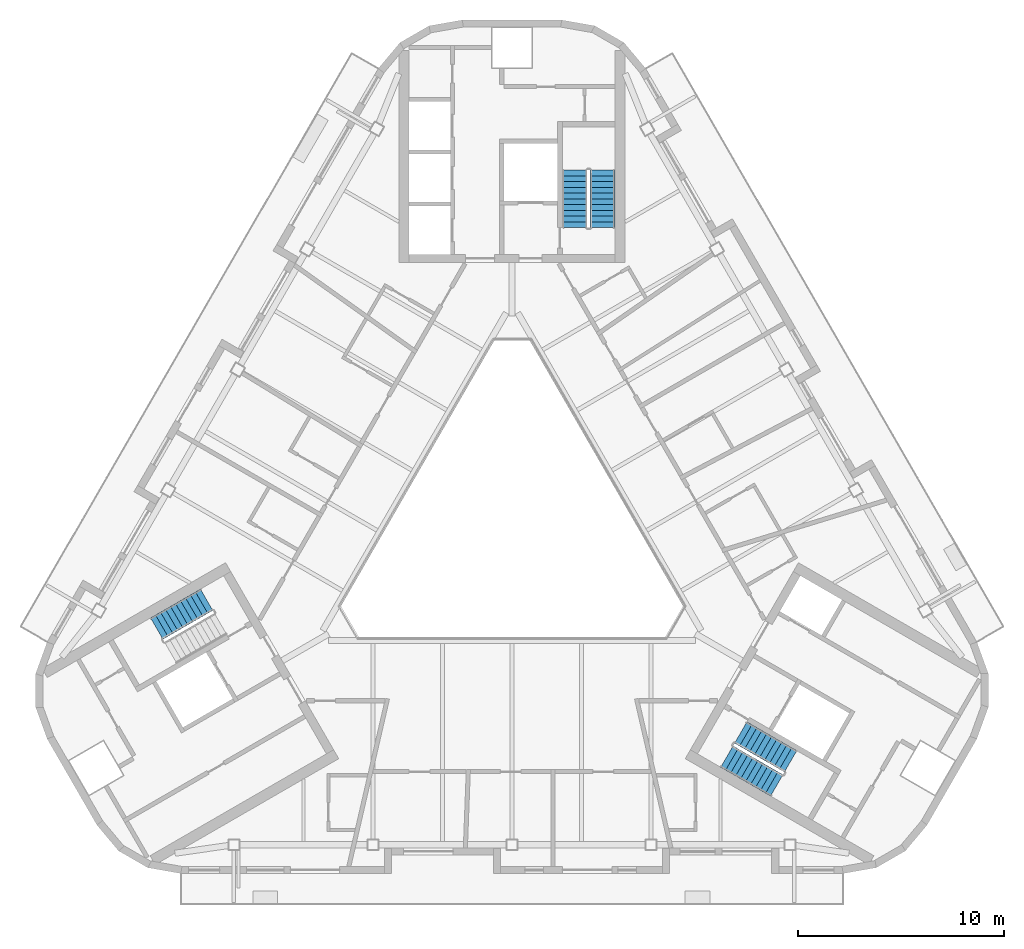
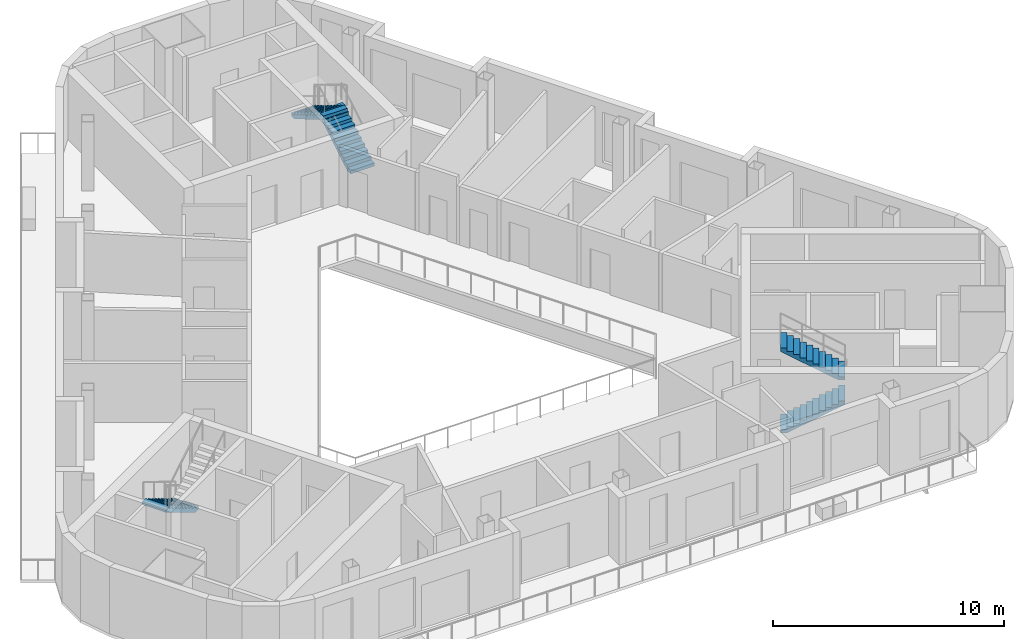
# One storey, part 8 of 12: 5 stair flights, 3 elements without a shape of their own.
"""IFC4 building model written with IfcOpenShell, lengths in metres."""

from ifc_helpers import new_model, si_unit, direction, frame, origin, place, context, subcontext, project, spatial, polyline, outline, extrude, material, type_object, element, aggregate, save


model = new_model("IFC4")

# Units and contexts
model_context = context("Model", 3, precision=1e-05, world=origin(), true_north=direction((0.0, 1.0)))
body_context = subcontext(model_context, "Body", "Model", "MODEL_VIEW")
ifc_project = project(units=[si_unit("LENGTHUNIT", "METRE"), si_unit("AREAUNIT", "SQUARE_METRE"), si_unit("VOLUMEUNIT", "CUBIC_METRE"), si_unit("PLANEANGLEUNIT", "RADIAN"), si_unit("MASSUNIT", "GRAM", prefix="KILO")], contexts=[model_context])

# Site, building, storey
site_placement = place(None, origin())
site = spatial("IfcSite", under=ifc_project, at=site_placement, CompositionType="ELEMENT")
building_placement = place(site_placement, origin())
building = spatial("IfcBuilding", under=site, at=building_placement, Name="Apuvela Tower Hotel", CompositionType="ELEMENT")
storey_placement = place(building_placement, frame((0.0, 0.0, 305.89990234375)))
storey = spatial("IfcBuildingStorey", under=building, at=storey_placement, Name="L76", CompositionType="ELEMENT", Elevation=305.89990234375)

# Stair, stair flights
ifc_material = material(Name="Concrete C50/60", Category="concrete")
stair_type = type_object("IfcStairType", Name="COR-STAIR-22R", PredefinedType="HALF_TURN_STAIR", material=ifc_material)
stair_1_placement = place(storey_placement, origin())
stair_1 = element("IfcStair", 1, at=stair_1_placement, inside=storey, type_object=stair_type, Name="L76 Exit stair ST1", PredefinedType="HALF_TURN_STAIR")
stair_flight_type = type_object("IfcStairFlightType", Name="COR-FLIGHT-11R", PredefinedType="STRAIGHT", material=ifc_material)
stair_flight_1_placement = place(storey_placement, frame((4.39990234375, 14.60009765625, 0.0), z_axis=(0.0, 0.0, 1.0), x_axis=(0.0, 1.0, 0.0)))
stair_flight_1 = element("IfcStairFlight", 2, at=stair_flight_1_placement, type_object=stair_flight_type, Name="ST1 flight 1", NumberOfRisers=11, NumberOfTreads=10, PredefinedType="STRAIGHT", RiserHeight=0.168181818, TreadLength=0.28, context=body_context, shape_type="SweptSolid", body=[
    extrude(outline(polyline([(0.0, 0.0), (0.0, 0.168212890625), (0.280029296875, 0.168212890625), (0.280029296875, 0.33642578125), (0.56005859375, 0.33642578125), (0.56005859375, 0.504638671875), (0.840087890625, 0.504638671875), (0.840087890625, 0.672607421875), (1.1201171875, 0.672607421875), (1.1201171875, 0.8408203125), (1.39990234375, 0.8408203125), (1.39990234375, 1.009033203125), (1.679931640625, 1.009033203125), (1.679931640625, 1.17724609375), (1.9599609375, 1.17724609375), (1.9599609375, 1.345458984375), (2.239990234375, 1.345458984375), (2.239990234375, 1.513671875), (2.52001953125, 1.513671875), (2.52001953125, 1.681884765625), (2.800048828125, 1.681884765625), (2.800048828125, 1.85009765625), (2.800048828125, 1.5068359375), (0.291015625, 0.0), (0.0, 0.0)])), frame((0.0, 0.60009765625, 0.0), z_axis=(0.0, -1.0, 0.0), x_axis=(1.0, 0.0, 0.0)), (0.0, 0.0, 1.0), 1.199951171875),
])
stair_flight_2_placement = place(storey_placement, frame((3.050048828125, 17.39990234375, 1.85009765625), z_axis=(0.0, 0.0, 1.0), x_axis=(0.0, -1.0, 0.0)))
stair_flight_2 = element("IfcStairFlight", 3, at=stair_flight_2_placement, type_object=stair_flight_type, Name="ST1 flight 2", NumberOfRisers=11, NumberOfTreads=10, PredefinedType="STRAIGHT", RiserHeight=0.168181818, TreadLength=0.28, context=body_context, shape_type="SweptSolid", body=[
    extrude(outline(polyline([(0.0, 0.0), (0.0, 0.168212890625), (0.280029296875, 0.168212890625), (0.280029296875, 0.33642578125), (0.56005859375, 0.33642578125), (0.56005859375, 0.504638671875), (0.840087890625, 0.504638671875), (0.840087890625, 0.672607421875), (1.1201171875, 0.672607421875), (1.1201171875, 0.8408203125), (1.39990234375, 0.8408203125), (1.39990234375, 1.009033203125), (1.679931640625, 1.009033203125), (1.679931640625, 1.17724609375), (1.9599609375, 1.17724609375), (1.9599609375, 1.345458984375), (2.239990234375, 1.345458984375), (2.239990234375, 1.513671875), (2.52001953125, 1.513671875), (2.52001953125, 1.681884765625), (2.800048828125, 1.681884765625), (2.800048828125, 1.85009765625), (2.800048828125, 1.5068359375), (0.291015625, 0.0), (0.0, 0.0)])), frame((0.0, 0.60009765625, 0.0), z_axis=(0.0, -1.0, 0.0), x_axis=(1.0, 0.0, 0.0)), (0.0, 0.0, 1.0), 1.199951171875),
])
aggregate(stair_1, [stair_flight_1, stair_flight_2])

# Stair, stair flight
stair_2_placement = place(storey_placement, origin())
stair_2 = element("IfcStair", 4, at=stair_2_placement, inside=storey, type_object=stair_type, Name="L76 Exit stair ST2", PredefinedType="HALF_TURN_STAIR")
stair_flight_3_placement = place(storey_placement, frame((-14.843994140625, -3.489501953125, 0.0), z_axis=(0.0, 0.0, 1.0), x_axis=(-0.866025403784, -0.5, 0.0)))
stair_flight_3 = element("IfcStairFlight", 5, at=stair_flight_3_placement, type_object=stair_flight_type, Name="ST2 flight 1", NumberOfRisers=11, NumberOfTreads=10, PredefinedType="STRAIGHT", RiserHeight=0.168181818, TreadLength=0.28, context=body_context, shape_type="SweptSolid", body=[
    extrude(outline(polyline([(0.0, 0.0), (0.0, 0.168212890625), (0.280029296875, 0.168212890625), (0.280029296875, 0.33642578125), (0.56005859375, 0.33642578125), (0.56005859375, 0.504638671875), (0.840087890625, 0.504638671875), (0.840087890625, 0.672607421875), (1.1201171875, 0.672607421875), (1.1201171875, 0.8408203125), (1.39990234375, 0.8408203125), (1.39990234375, 1.009033203125), (1.679931640625, 1.009033203125), (1.679931640625, 1.17724609375), (1.9599609375, 1.17724609375), (1.9599609375, 1.345458984375), (2.239990234375, 1.345458984375), (2.239990234375, 1.513671875), (2.52001953125, 1.513671875), (2.52001953125, 1.681884765625), (2.800048828125, 1.681884765625), (2.800048828125, 1.85009765625), (2.800048828125, 1.5068359375), (0.291015625, 0.0), (0.0, 0.0)])), frame((0.0, 0.60009765625, 0.0), z_axis=(0.0, -1.0, 0.0), x_axis=(1.0, 0.0, 0.0)), (0.0, 0.0, 1.0), 1.199951171875),
])
aggregate(stair_2, [stair_flight_3])

# Stair, stair flights
stair_3_placement = place(storey_placement, origin())
stair_3 = element("IfcStair", 6, at=stair_3_placement, inside=storey, type_object=stair_type, Name="L76 Exit stair ST3", PredefinedType="HALF_TURN_STAIR")
stair_flight_4_placement = place(storey_placement, frame((10.444091796875, -11.110595703125, 0.0), z_axis=(0.0, 0.0, 1.0), x_axis=(0.866025403784, -0.5, 0.0)))
stair_flight_4 = element("IfcStairFlight", 7, at=stair_flight_4_placement, type_object=stair_flight_type, Name="ST3 flight 1", NumberOfRisers=11, NumberOfTreads=10, PredefinedType="STRAIGHT", RiserHeight=0.168181818, TreadLength=0.28, context=body_context, shape_type="SweptSolid", body=[
    extrude(outline(polyline([(0.0, 0.0), (0.0, 0.168212890625), (0.280029296875, 0.168212890625), (0.280029296875, 0.33642578125), (0.56005859375, 0.33642578125), (0.56005859375, 0.504638671875), (0.840087890625, 0.504638671875), (0.840087890625, 0.672607421875), (1.1201171875, 0.672607421875), (1.1201171875, 0.8408203125), (1.39990234375, 0.8408203125), (1.39990234375, 1.009033203125), (1.679931640625, 1.009033203125), (1.679931640625, 1.17724609375), (1.9599609375, 1.17724609375), (1.9599609375, 1.345458984375), (2.239990234375, 1.345458984375), (2.239990234375, 1.513671875), (2.52001953125, 1.513671875), (2.52001953125, 1.681884765625), (2.800048828125, 1.681884765625), (2.800048828125, 1.85009765625), (2.800048828125, 1.5068359375), (0.291015625, 0.0), (0.0, 0.0)])), frame((0.0, 0.60009765625, 0.0), z_axis=(0.0, -1.0, 0.0), x_axis=(1.0, 0.0, 0.0)), (0.0, 0.0, 1.0), 1.199951171875),
])
stair_flight_5_placement = place(storey_placement, frame((13.5439453125, -11.34130859375, 1.85009765625), z_axis=(0.0, 0.0, 1.0), x_axis=(-0.866025403784, 0.5, 0.0)))
stair_flight_5 = element("IfcStairFlight", 8, at=stair_flight_5_placement, type_object=stair_flight_type, Name="ST3 flight 2", NumberOfRisers=11, NumberOfTreads=10, PredefinedType="STRAIGHT", RiserHeight=0.168181818, TreadLength=0.28, context=body_context, shape_type="SweptSolid", body=[
    extrude(outline(polyline([(0.0, 0.0), (0.0, 0.168212890625), (0.280029296875, 0.168212890625), (0.280029296875, 0.33642578125), (0.56005859375, 0.33642578125), (0.56005859375, 0.504638671875), (0.840087890625, 0.504638671875), (0.840087890625, 0.672607421875), (1.1201171875, 0.672607421875), (1.1201171875, 0.8408203125), (1.39990234375, 0.8408203125), (1.39990234375, 1.009033203125), (1.679931640625, 1.009033203125), (1.679931640625, 1.17724609375), (1.9599609375, 1.17724609375), (1.9599609375, 1.345458984375), (2.239990234375, 1.345458984375), (2.239990234375, 1.513671875), (2.52001953125, 1.513671875), (2.52001953125, 1.681884765625), (2.800048828125, 1.681884765625), (2.800048828125, 1.85009765625), (2.800048828125, 1.5068359375), (0.291015625, 0.0), (0.0, 0.0)])), frame((0.0, 0.60009765625, 0.0), z_axis=(0.0, -1.0, 0.0), x_axis=(1.0, 0.0, 0.0)), (0.0, 0.0, 1.0), 1.199951171875),
])
aggregate(stair_3, [stair_flight_4, stair_flight_5])

save(model, "model.ifc")
